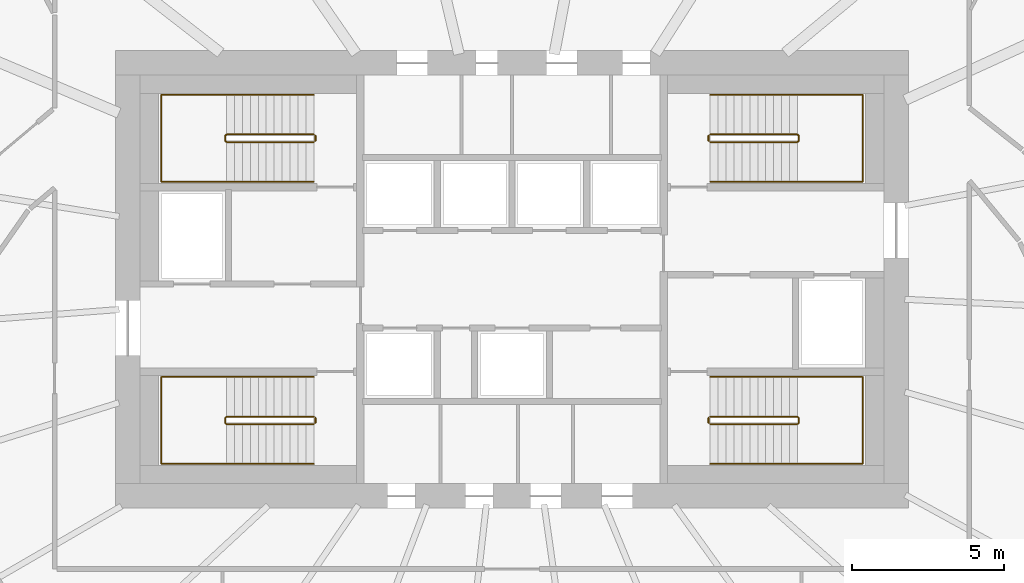
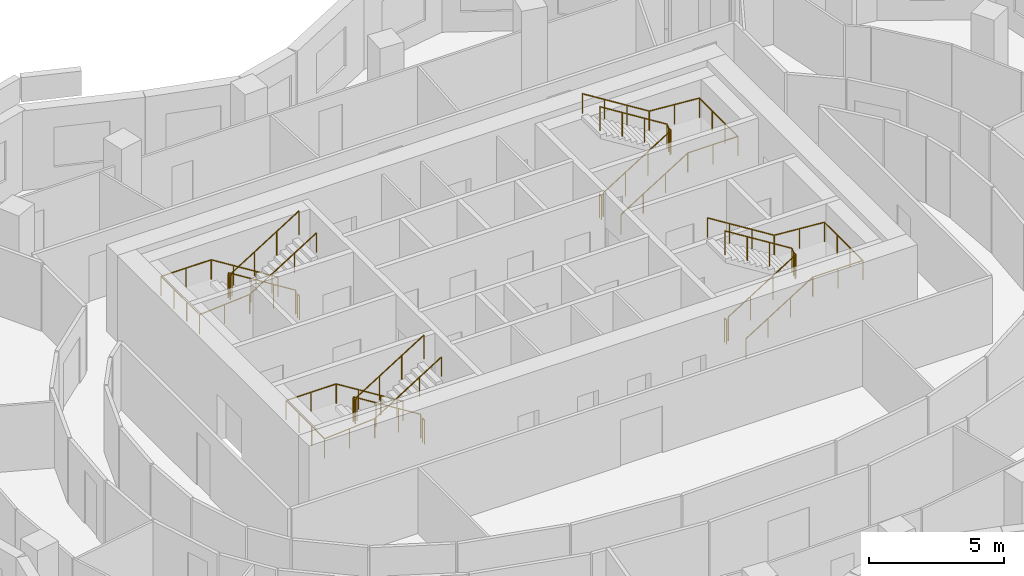
# One storey, part 10 of 10: 12 railings.
"""IFC4 building model written with IfcOpenShell, lengths in metres."""

from ifc_helpers import new_model, si_unit, direction, frame, origin, origin_2d, place, context, subcontext, project, spatial, circle, extrude, material, type_object, element, save


model = new_model("IFC4")

# Units and contexts
model_context = context("Model", 3, precision=1e-05, world=origin(), true_north=direction((0.0, 1.0)))
body_context = subcontext(model_context, "Body", "Model", "MODEL_VIEW")
ifc_project = project(units=[si_unit("LENGTHUNIT", "METRE"), si_unit("AREAUNIT", "SQUARE_METRE"), si_unit("VOLUMEUNIT", "CUBIC_METRE"), si_unit("PLANEANGLEUNIT", "RADIAN"), si_unit("MASSUNIT", "GRAM", prefix="KILO")], contexts=[model_context])

# Site, building, storey
site_placement = place(None, origin())
site = spatial("IfcSite", under=ifc_project, at=site_placement, CompositionType="ELEMENT")
building_placement = place(site_placement, origin())
building = spatial("IfcBuilding", under=site, at=building_placement, Name="Rubra Terraces Tower", CompositionType="ELEMENT")
storey_placement = place(building_placement, frame((0.0, 0.0, 213.0)))
storey = spatial("IfcBuildingStorey", under=building, at=storey_placement, Name="L52", CompositionType="ELEMENT", Elevation=213.0)

# Railings
ifc_material = material(Name="Stainless steel", Category="steel")
railing_type_1 = type_object("IfcRailingType", Name="Core stair guard 1100", PredefinedType="GUARDRAIL", material=ifc_material)
railing_1_placement = place(storey_placement, frame((-6.5, 0.0, 0.16259765625)))
element("IfcRailing", 1, at=railing_1_placement, inside=storey, type_object=railing_type_1, Name="L52 stair S1 guard 1", PredefinedType="GUARDRAIL", context=body_context, shape_type="SweptSolid", body=[
    extrude(circle(Radius=0.02392578125, at=origin_2d()), frame((0.0, 0.0, 1.076171875), z_axis=(-0.848026770018, 0.0, 0.529953391661), x_axis=(0.0, -1.0, 0.0)), (0.0, 0.0, 1.0), 3.37255859375),
    extrude(circle(Radius=0.02392578125, at=origin_2d()), frame((-2.860107421875, 0.0, 2.86328125), z_axis=(-0.705375805398, -0.708833529934, 0.0), x_axis=(0.708833529934, -0.705375805398, 0.0)), (0.0, 0.0, 1.0), 0.070556640625),
    extrude(circle(Radius=0.02392578125, at=origin_2d()), frame((-2.909912109375, -0.050048828125, 2.86328125), z_axis=(0.0, -1.0, 0.0), x_axis=(1.0, 0.0, 0.0)), (0.0, 0.0, 1.0), 0.14990234375),
    extrude(circle(Radius=0.02392578125, at=origin_2d()), frame((-2.909912109375, -0.199951171875, 2.86328125), z_axis=(0.280959487676, -0.282336740067, 0.917250092119), x_axis=(0.708833529934, 0.705375805398, 0.0)), (0.0, 0.0, 1.0), 0.17724609375),
    extrude(circle(Radius=0.02392578125, at=origin_2d()), frame((-2.860107421875, -0.25, 3.02587890625), z_axis=(0.848026770018, 0.0, 0.529953391661), x_axis=(0.0, 1.0, 0.0)), (0.0, 0.0, 1.0), 3.37255859375),
    extrude(circle(Radius=0.02099609375, at=origin_2d()), origin(), (0.0, 0.0, 1.0), 1.052001953125),
    extrude(circle(Radius=0.02099609375, at=origin_2d()), frame((-0.953369140625, 0.0, 0.595703125)), (0.0, 0.0, 1.0), 1.052001953125),
    extrude(circle(Radius=0.02099609375, at=origin_2d()), frame((-1.90673828125, 0.0, 1.191650390625)), (0.0, 0.0, 1.0), 1.052001953125),
    extrude(circle(Radius=0.02099609375, at=origin_2d()), frame((-2.860107421875, 0.0, 1.787353515625)), (0.0, 0.0, 1.0), 1.052001953125),
    extrude(circle(Radius=0.02099609375, at=origin_2d()), frame((-2.909912109375, -0.050048828125, 1.787353515625)), (0.0, 0.0, 1.0), 1.052001953125),
    extrude(circle(Radius=0.02099609375, at=origin_2d()), frame((-2.909912109375, -0.199951171875, 1.787353515625)), (0.0, 0.0, 1.0), 1.052001953125),
    extrude(circle(Radius=0.02099609375, at=origin_2d()), frame((-2.860107421875, -0.25, 1.949951171875)), (0.0, 0.0, 1.0), 1.052001953125),
    extrude(circle(Radius=0.02099609375, at=origin_2d()), frame((-1.90673828125, -0.25, 2.545654296875)), (0.0, 0.0, 1.0), 1.052001953125),
    extrude(circle(Radius=0.02099609375, at=origin_2d()), frame((-0.953369140625, -0.25, 3.1416015625)), (0.0, 0.0, 1.0), 1.052001953125),
    extrude(circle(Radius=0.02099609375, at=origin_2d()), frame((0.0, -0.25, 3.7373046875)), (0.0, 0.0, 1.0), 1.052001953125),
])
railing_2_placement = place(storey_placement, frame((-6.449951171875, -0.050048828125, 0.0)))
element("IfcRailing", 2, at=railing_2_placement, inside=storey, type_object=railing_type_1, Name="L52 stair S1 guard 2", PredefinedType="GUARDRAIL", context=body_context, shape_type="SweptSolid", body=[
    extrude(circle(Radius=0.02392578125, at=origin_2d()), frame((0.0, 0.0, 1.076171875), z_axis=(0.0, -1.0, 0.0), x_axis=(1.0, 0.0, 0.0)), (0.0, 0.0, 1.0), 0.14990234375),
    extrude(circle(Radius=0.02099609375, at=origin_2d()), origin(), (0.0, 0.0, 1.0), 1.052001953125),
    extrude(circle(Radius=0.02099609375, at=origin_2d()), frame((0.0, -0.14990234375, 0.0)), (0.0, 0.0, 1.0), 1.052001953125),
])
railing_3_placement = place(storey_placement, frame((-6.5, 9.25, 0.16259765625)))
element("IfcRailing", 3, at=railing_3_placement, inside=storey, type_object=railing_type_1, Name="L52 stair S2 guard 1", PredefinedType="GUARDRAIL", context=body_context, shape_type="SweptSolid", body=[
    extrude(circle(Radius=0.02392578125, at=origin_2d()), frame((0.0, 0.0, 1.076171875), z_axis=(-0.848026770018, 0.0, 0.529953391661), x_axis=(0.0, -1.0, 0.0)), (0.0, 0.0, 1.0), 3.37255859375),
    extrude(circle(Radius=0.02392578125, at=origin_2d()), frame((-2.860107421875, 0.0, 2.86328125), z_axis=(-0.705375805398, -0.708833529934, 0.0), x_axis=(0.708833529934, -0.705375805398, 0.0)), (0.0, 0.0, 1.0), 0.070556640625),
    extrude(circle(Radius=0.02392578125, at=origin_2d()), frame((-2.909912109375, -0.050048828125, 2.86328125), z_axis=(0.0, -1.0, 0.0), x_axis=(1.0, 0.0, 0.0)), (0.0, 0.0, 1.0), 0.14990234375),
    extrude(circle(Radius=0.02392578125, at=origin_2d()), frame((-2.909912109375, -0.199951171875, 2.86328125), z_axis=(0.280959487676, -0.282336740067, 0.917250092119), x_axis=(0.708833529934, 0.705375805398, 0.0)), (0.0, 0.0, 1.0), 0.17724609375),
    extrude(circle(Radius=0.02392578125, at=origin_2d()), frame((-2.860107421875, -0.25, 3.02587890625), z_axis=(0.848026770018, 0.0, 0.529953391661), x_axis=(0.0, 1.0, 0.0)), (0.0, 0.0, 1.0), 3.37255859375),
    extrude(circle(Radius=0.02099609375, at=origin_2d()), origin(), (0.0, 0.0, 1.0), 1.052001953125),
    extrude(circle(Radius=0.02099609375, at=origin_2d()), frame((-0.953369140625, 0.0, 0.595703125)), (0.0, 0.0, 1.0), 1.052001953125),
    extrude(circle(Radius=0.02099609375, at=origin_2d()), frame((-1.90673828125, 0.0, 1.191650390625)), (0.0, 0.0, 1.0), 1.052001953125),
    extrude(circle(Radius=0.02099609375, at=origin_2d()), frame((-2.860107421875, 0.0, 1.787353515625)), (0.0, 0.0, 1.0), 1.052001953125),
    extrude(circle(Radius=0.02099609375, at=origin_2d()), frame((-2.909912109375, -0.050048828125, 1.787353515625)), (0.0, 0.0, 1.0), 1.052001953125),
    extrude(circle(Radius=0.02099609375, at=origin_2d()), frame((-2.909912109375, -0.199951171875, 1.787353515625)), (0.0, 0.0, 1.0), 1.052001953125),
    extrude(circle(Radius=0.02099609375, at=origin_2d()), frame((-2.860107421875, -0.25, 1.949951171875)), (0.0, 0.0, 1.0), 1.052001953125),
    extrude(circle(Radius=0.02099609375, at=origin_2d()), frame((-1.90673828125, -0.25, 2.545654296875)), (0.0, 0.0, 1.0), 1.052001953125),
    extrude(circle(Radius=0.02099609375, at=origin_2d()), frame((-0.953369140625, -0.25, 3.1416015625)), (0.0, 0.0, 1.0), 1.052001953125),
    extrude(circle(Radius=0.02099609375, at=origin_2d()), frame((0.0, -0.25, 3.7373046875)), (0.0, 0.0, 1.0), 1.052001953125),
])
railing_4_placement = place(storey_placement, frame((-6.449951171875, 9.199951171875, 0.0)))
element("IfcRailing", 4, at=railing_4_placement, inside=storey, type_object=railing_type_1, Name="L52 stair S2 guard 2", PredefinedType="GUARDRAIL", context=body_context, shape_type="SweptSolid", body=[
    extrude(circle(Radius=0.02392578125, at=origin_2d()), frame((0.0, 0.0, 1.076171875), z_axis=(0.0, -1.0, 0.0), x_axis=(1.0, 0.0, 0.0)), (0.0, 0.0, 1.0), 0.14990234375),
    extrude(circle(Radius=0.02099609375, at=origin_2d()), origin(), (0.0, 0.0, 1.0), 1.052001953125),
    extrude(circle(Radius=0.02099609375, at=origin_2d()), frame((0.0, -0.14990234375, 0.0)), (0.0, 0.0, 1.0), 1.052001953125),
])
railing_5_placement = place(storey_placement, frame((6.5, 9.0, 0.16259765625)))
element("IfcRailing", 5, at=railing_5_placement, inside=storey, type_object=railing_type_1, Name="L52 stair S3 guard 1", PredefinedType="GUARDRAIL", context=body_context, shape_type="SweptSolid", body=[
    extrude(circle(Radius=0.02392578125, at=origin_2d()), frame((0.0, 0.0, 1.076171875), z_axis=(0.848026770018, 0.0, 0.529953391661), x_axis=(0.0, 1.0, 0.0)), (0.0, 0.0, 1.0), 3.37255859375),
    extrude(circle(Radius=0.02392578125, at=origin_2d()), frame((2.860107421875, 0.0, 2.86328125), z_axis=(0.705375805398, 0.708833529934, 0.0), x_axis=(-0.708833529934, 0.705375805398, 0.0)), (0.0, 0.0, 1.0), 0.070556640625),
    extrude(circle(Radius=0.02392578125, at=origin_2d()), frame((2.909912109375, 0.050048828125, 2.86328125), z_axis=(0.0, 1.0, 0.0), x_axis=(-1.0, 0.0, 0.0)), (0.0, 0.0, 1.0), 0.14990234375),
    extrude(circle(Radius=0.02392578125, at=origin_2d()), frame((2.909912109375, 0.199951171875, 2.86328125), z_axis=(-0.280959487676, 0.282336740067, 0.917250092119), x_axis=(-0.708833529934, -0.705375805398, 0.0)), (0.0, 0.0, 1.0), 0.17724609375),
    extrude(circle(Radius=0.02392578125, at=origin_2d()), frame((2.860107421875, 0.25, 3.02587890625), z_axis=(-0.848026770018, 0.0, 0.529953391661), x_axis=(0.0, -1.0, 0.0)), (0.0, 0.0, 1.0), 3.37255859375),
    extrude(circle(Radius=0.02099609375, at=origin_2d()), origin(), (0.0, 0.0, 1.0), 1.052001953125),
    extrude(circle(Radius=0.02099609375, at=origin_2d()), frame((0.953369140625, 0.0, 0.595703125)), (0.0, 0.0, 1.0), 1.052001953125),
    extrude(circle(Radius=0.02099609375, at=origin_2d()), frame((1.90673828125, 0.0, 1.191650390625)), (0.0, 0.0, 1.0), 1.052001953125),
    extrude(circle(Radius=0.02099609375, at=origin_2d()), frame((2.860107421875, 0.0, 1.787353515625)), (0.0, 0.0, 1.0), 1.052001953125),
    extrude(circle(Radius=0.02099609375, at=origin_2d()), frame((2.909912109375, 0.050048828125, 1.787353515625)), (0.0, 0.0, 1.0), 1.052001953125),
    extrude(circle(Radius=0.02099609375, at=origin_2d()), frame((2.909912109375, 0.199951171875, 1.787353515625)), (0.0, 0.0, 1.0), 1.052001953125),
    extrude(circle(Radius=0.02099609375, at=origin_2d()), frame((2.860107421875, 0.25, 1.949951171875)), (0.0, 0.0, 1.0), 1.052001953125),
    extrude(circle(Radius=0.02099609375, at=origin_2d()), frame((1.90673828125, 0.25, 2.545654296875)), (0.0, 0.0, 1.0), 1.052001953125),
    extrude(circle(Radius=0.02099609375, at=origin_2d()), frame((0.953369140625, 0.25, 3.1416015625)), (0.0, 0.0, 1.0), 1.052001953125),
    extrude(circle(Radius=0.02099609375, at=origin_2d()), frame((0.0, 0.25, 3.7373046875)), (0.0, 0.0, 1.0), 1.052001953125),
])
railing_6_placement = place(storey_placement, frame((6.449951171875, 9.050048828125, 0.0)))
element("IfcRailing", 6, at=railing_6_placement, inside=storey, type_object=railing_type_1, Name="L52 stair S3 guard 2", PredefinedType="GUARDRAIL", context=body_context, shape_type="SweptSolid", body=[
    extrude(circle(Radius=0.02392578125, at=origin_2d()), frame((0.0, 0.0, 1.076171875), z_axis=(0.0, 1.0, 0.0), x_axis=(-1.0, 0.0, 0.0)), (0.0, 0.0, 1.0), 0.14990234375),
    extrude(circle(Radius=0.02099609375, at=origin_2d()), origin(), (0.0, 0.0, 1.0), 1.052001953125),
    extrude(circle(Radius=0.02099609375, at=origin_2d()), frame((0.0, 0.14990234375, 0.0)), (0.0, 0.0, 1.0), 1.052001953125),
])
railing_7_placement = place(storey_placement, frame((6.5, -0.25, 0.16259765625)))
element("IfcRailing", 7, at=railing_7_placement, inside=storey, type_object=railing_type_1, Name="L52 stair S4 guard 1", PredefinedType="GUARDRAIL", context=body_context, shape_type="SweptSolid", body=[
    extrude(circle(Radius=0.02392578125, at=origin_2d()), frame((0.0, 0.0, 1.076171875), z_axis=(0.848026770018, 0.0, 0.529953391661), x_axis=(0.0, 1.0, 0.0)), (0.0, 0.0, 1.0), 3.37255859375),
    extrude(circle(Radius=0.02392578125, at=origin_2d()), frame((2.860107421875, 0.0, 2.86328125), z_axis=(0.705375805398, 0.708833529934, 0.0), x_axis=(-0.708833529934, 0.705375805398, 0.0)), (0.0, 0.0, 1.0), 0.070556640625),
    extrude(circle(Radius=0.02392578125, at=origin_2d()), frame((2.909912109375, 0.050048828125, 2.86328125), z_axis=(0.0, 1.0, 0.0), x_axis=(-1.0, 0.0, 0.0)), (0.0, 0.0, 1.0), 0.14990234375),
    extrude(circle(Radius=0.02392578125, at=origin_2d()), frame((2.909912109375, 0.199951171875, 2.86328125), z_axis=(-0.280959487676, 0.282336740067, 0.917250092119), x_axis=(-0.708833529934, -0.705375805398, 0.0)), (0.0, 0.0, 1.0), 0.17724609375),
    extrude(circle(Radius=0.02392578125, at=origin_2d()), frame((2.860107421875, 0.25, 3.02587890625), z_axis=(-0.848026770018, 0.0, 0.529953391661), x_axis=(0.0, -1.0, 0.0)), (0.0, 0.0, 1.0), 3.37255859375),
    extrude(circle(Radius=0.02099609375, at=origin_2d()), origin(), (0.0, 0.0, 1.0), 1.052001953125),
    extrude(circle(Radius=0.02099609375, at=origin_2d()), frame((0.953369140625, 0.0, 0.595703125)), (0.0, 0.0, 1.0), 1.052001953125),
    extrude(circle(Radius=0.02099609375, at=origin_2d()), frame((1.90673828125, 0.0, 1.191650390625)), (0.0, 0.0, 1.0), 1.052001953125),
    extrude(circle(Radius=0.02099609375, at=origin_2d()), frame((2.860107421875, 0.0, 1.787353515625)), (0.0, 0.0, 1.0), 1.052001953125),
    extrude(circle(Radius=0.02099609375, at=origin_2d()), frame((2.909912109375, 0.050048828125, 1.787353515625)), (0.0, 0.0, 1.0), 1.052001953125),
    extrude(circle(Radius=0.02099609375, at=origin_2d()), frame((2.909912109375, 0.199951171875, 1.787353515625)), (0.0, 0.0, 1.0), 1.052001953125),
    extrude(circle(Radius=0.02099609375, at=origin_2d()), frame((2.860107421875, 0.25, 1.949951171875)), (0.0, 0.0, 1.0), 1.052001953125),
    extrude(circle(Radius=0.02099609375, at=origin_2d()), frame((1.90673828125, 0.25, 2.545654296875)), (0.0, 0.0, 1.0), 1.052001953125),
    extrude(circle(Radius=0.02099609375, at=origin_2d()), frame((0.953369140625, 0.25, 3.1416015625)), (0.0, 0.0, 1.0), 1.052001953125),
    extrude(circle(Radius=0.02099609375, at=origin_2d()), frame((0.0, 0.25, 3.7373046875)), (0.0, 0.0, 1.0), 1.052001953125),
])
railing_8_placement = place(storey_placement, frame((6.449951171875, -0.199951171875, 0.0)))
element("IfcRailing", 8, at=railing_8_placement, inside=storey, type_object=railing_type_1, Name="L52 stair S4 guard 2", PredefinedType="GUARDRAIL", context=body_context, shape_type="SweptSolid", body=[
    extrude(circle(Radius=0.02392578125, at=origin_2d()), frame((0.0, 0.0, 1.076171875), z_axis=(0.0, 1.0, 0.0), x_axis=(-1.0, 0.0, 0.0)), (0.0, 0.0, 1.0), 0.14990234375),
    extrude(circle(Radius=0.02099609375, at=origin_2d()), origin(), (0.0, 0.0, 1.0), 1.052001953125),
    extrude(circle(Radius=0.02099609375, at=origin_2d()), frame((0.0, 0.14990234375, 0.0)), (0.0, 0.0, 1.0), 1.052001953125),
])
railing_type_2 = type_object("IfcRailingType", Name="Core stair handrail 900", PredefinedType="HANDRAIL", material=ifc_material)
railing_9_placement = place(storey_placement, frame((-6.5, 1.300048828125, 0.16259765625)))
element("IfcRailing", 9, at=railing_9_placement, inside=storey, type_object=railing_type_2, Name="L52 stair S1 handrail 1", PredefinedType="HANDRAIL", context=body_context, shape_type="SweptSolid", body=[
    extrude(circle(Radius=0.02392578125, at=origin_2d()), frame((0.0, 0.0, 0.8759765625), z_axis=(-0.848026770018, 0.0, 0.529953391661), x_axis=(0.0, -1.0, 0.0)), (0.0, 0.0, 1.0), 3.37255859375),
    extrude(circle(Radius=0.02392578125, at=origin_2d()), frame((-2.860107421875, 0.0, 2.6630859375), z_axis=(-1.0, 0.0, 0.0), x_axis=(0.0, -1.0, 0.0)), (0.0, 0.0, 1.0), 2.139892578125),
    extrude(circle(Radius=0.02392578125, at=origin_2d()), frame((-5.0, 0.0, 2.6630859375), z_axis=(0.0, -1.0, 0.0), x_axis=(1.0, 0.0, 0.0)), (0.0, 0.0, 1.0), 2.85009765625),
    extrude(circle(Radius=0.02392578125, at=origin_2d()), frame((-5.0, -2.85009765625, 2.6630859375), z_axis=(0.997125654253, 0.0, 0.075765623016), x_axis=(0.0, 1.0, 0.0)), (0.0, 0.0, 1.0), 2.14599609375),
    extrude(circle(Radius=0.02392578125, at=origin_2d()), frame((-2.860107421875, -2.85009765625, 2.82568359375), z_axis=(0.848026770018, 0.0, 0.529953391661), x_axis=(0.0, 1.0, 0.0)), (0.0, 0.0, 1.0), 3.37255859375),
    extrude(circle(Radius=0.02099609375, at=origin_2d()), origin(), (0.0, 0.0, 1.0), 0.851806640625),
    extrude(circle(Radius=0.02099609375, at=origin_2d()), frame((-0.953369140625, 0.0, 0.595703125)), (0.0, 0.0, 1.0), 0.851806640625),
    extrude(circle(Radius=0.02099609375, at=origin_2d()), frame((-1.90673828125, 0.0, 1.191650390625)), (0.0, 0.0, 1.0), 0.851806640625),
    extrude(circle(Radius=0.02099609375, at=origin_2d()), frame((-2.860107421875, 0.0, 1.787353515625)), (0.0, 0.0, 1.0), 0.851806640625),
    extrude(circle(Radius=0.02099609375, at=origin_2d()), frame((-3.93017578125, 0.0, 1.787353515625)), (0.0, 0.0, 1.0), 0.851806640625),
    extrude(circle(Radius=0.02099609375, at=origin_2d()), frame((-5.0, 0.0, 1.787353515625)), (0.0, 0.0, 1.0), 0.851806640625),
    extrude(circle(Radius=0.02099609375, at=origin_2d()), frame((-5.0, -0.949951171875, 1.787353515625)), (0.0, 0.0, 1.0), 0.851806640625),
    extrude(circle(Radius=0.02099609375, at=origin_2d()), frame((-5.0, -1.900146484375, 1.787353515625)), (0.0, 0.0, 1.0), 0.851806640625),
    extrude(circle(Radius=0.02099609375, at=origin_2d()), frame((-5.0, -2.85009765625, 1.787353515625)), (0.0, 0.0, 1.0), 0.851806640625),
    extrude(circle(Radius=0.02099609375, at=origin_2d()), frame((-3.93017578125, -2.85009765625, 1.86865234375)), (0.0, 0.0, 1.0), 0.851806640625),
    extrude(circle(Radius=0.02099609375, at=origin_2d()), frame((-2.860107421875, -2.85009765625, 1.949951171875)), (0.0, 0.0, 1.0), 0.851806640625),
    extrude(circle(Radius=0.02099609375, at=origin_2d()), frame((-1.90673828125, -2.85009765625, 2.545654296875)), (0.0, 0.0, 1.0), 0.851806640625),
    extrude(circle(Radius=0.02099609375, at=origin_2d()), frame((-0.953369140625, -2.85009765625, 3.1416015625)), (0.0, 0.0, 1.0), 0.851806640625),
    extrude(circle(Radius=0.02099609375, at=origin_2d()), frame((0.0, -2.85009765625, 3.7373046875)), (0.0, 0.0, 1.0), 0.851806640625),
])
railing_10_placement = place(storey_placement, frame((-6.5, 10.550048828125, 0.16259765625)))
element("IfcRailing", 10, at=railing_10_placement, inside=storey, type_object=railing_type_2, Name="L52 stair S2 handrail 1", PredefinedType="HANDRAIL", context=body_context, shape_type="SweptSolid", body=[
    extrude(circle(Radius=0.02392578125, at=origin_2d()), frame((0.0, 0.0, 0.8759765625), z_axis=(-0.848026770018, 0.0, 0.529953391661), x_axis=(0.0, -1.0, 0.0)), (0.0, 0.0, 1.0), 3.37255859375),
    extrude(circle(Radius=0.02392578125, at=origin_2d()), frame((-2.860107421875, 0.0, 2.6630859375), z_axis=(-1.0, 0.0, 0.0), x_axis=(0.0, -1.0, 0.0)), (0.0, 0.0, 1.0), 2.139892578125),
    extrude(circle(Radius=0.02392578125, at=origin_2d()), frame((-5.0, 0.0, 2.6630859375), z_axis=(0.0, -1.0, 0.0), x_axis=(1.0, 0.0, 0.0)), (0.0, 0.0, 1.0), 2.85009765625),
    extrude(circle(Radius=0.02392578125, at=origin_2d()), frame((-5.0, -2.85009765625, 2.6630859375), z_axis=(0.997125654253, 0.0, 0.075765623016), x_axis=(0.0, 1.0, 0.0)), (0.0, 0.0, 1.0), 2.14599609375),
    extrude(circle(Radius=0.02392578125, at=origin_2d()), frame((-2.860107421875, -2.85009765625, 2.82568359375), z_axis=(0.848026770018, 0.0, 0.529953391661), x_axis=(0.0, 1.0, 0.0)), (0.0, 0.0, 1.0), 3.37255859375),
    extrude(circle(Radius=0.02099609375, at=origin_2d()), origin(), (0.0, 0.0, 1.0), 0.851806640625),
    extrude(circle(Radius=0.02099609375, at=origin_2d()), frame((-0.953369140625, 0.0, 0.595703125)), (0.0, 0.0, 1.0), 0.851806640625),
    extrude(circle(Radius=0.02099609375, at=origin_2d()), frame((-1.90673828125, 0.0, 1.191650390625)), (0.0, 0.0, 1.0), 0.851806640625),
    extrude(circle(Radius=0.02099609375, at=origin_2d()), frame((-2.860107421875, 0.0, 1.787353515625)), (0.0, 0.0, 1.0), 0.851806640625),
    extrude(circle(Radius=0.02099609375, at=origin_2d()), frame((-3.93017578125, 0.0, 1.787353515625)), (0.0, 0.0, 1.0), 0.851806640625),
    extrude(circle(Radius=0.02099609375, at=origin_2d()), frame((-5.0, 0.0, 1.787353515625)), (0.0, 0.0, 1.0), 0.851806640625),
    extrude(circle(Radius=0.02099609375, at=origin_2d()), frame((-5.0, -0.949951171875, 1.787353515625)), (0.0, 0.0, 1.0), 0.851806640625),
    extrude(circle(Radius=0.02099609375, at=origin_2d()), frame((-5.0, -1.900146484375, 1.787353515625)), (0.0, 0.0, 1.0), 0.851806640625),
    extrude(circle(Radius=0.02099609375, at=origin_2d()), frame((-5.0, -2.85009765625, 1.787353515625)), (0.0, 0.0, 1.0), 0.851806640625),
    extrude(circle(Radius=0.02099609375, at=origin_2d()), frame((-3.93017578125, -2.85009765625, 1.86865234375)), (0.0, 0.0, 1.0), 0.851806640625),
    extrude(circle(Radius=0.02099609375, at=origin_2d()), frame((-2.860107421875, -2.85009765625, 1.949951171875)), (0.0, 0.0, 1.0), 0.851806640625),
    extrude(circle(Radius=0.02099609375, at=origin_2d()), frame((-1.90673828125, -2.85009765625, 2.545654296875)), (0.0, 0.0, 1.0), 0.851806640625),
    extrude(circle(Radius=0.02099609375, at=origin_2d()), frame((-0.953369140625, -2.85009765625, 3.1416015625)), (0.0, 0.0, 1.0), 0.851806640625),
    extrude(circle(Radius=0.02099609375, at=origin_2d()), frame((0.0, -2.85009765625, 3.7373046875)), (0.0, 0.0, 1.0), 0.851806640625),
])
railing_11_placement = place(storey_placement, frame((6.5, 7.699951171875, 0.16259765625)))
element("IfcRailing", 11, at=railing_11_placement, inside=storey, type_object=railing_type_2, Name="L52 stair S3 handrail 1", PredefinedType="HANDRAIL", context=body_context, shape_type="SweptSolid", body=[
    extrude(circle(Radius=0.02392578125, at=origin_2d()), frame((0.0, 0.0, 0.8759765625), z_axis=(0.848026770018, 0.0, 0.529953391661), x_axis=(0.0, 1.0, 0.0)), (0.0, 0.0, 1.0), 3.37255859375),
    extrude(circle(Radius=0.02392578125, at=origin_2d()), frame((2.860107421875, 0.0, 2.6630859375), z_axis=(1.0, 0.0, 0.0), x_axis=(0.0, 1.0, 0.0)), (0.0, 0.0, 1.0), 2.139892578125),
    extrude(circle(Radius=0.02392578125, at=origin_2d()), frame((5.0, 0.0, 2.6630859375), z_axis=(0.0, 1.0, 0.0), x_axis=(-1.0, 0.0, 0.0)), (0.0, 0.0, 1.0), 2.85009765625),
    extrude(circle(Radius=0.02392578125, at=origin_2d()), frame((5.0, 2.85009765625, 2.6630859375), z_axis=(-0.997125654253, 0.0, 0.075765623016), x_axis=(0.0, -1.0, 0.0)), (0.0, 0.0, 1.0), 2.14599609375),
    extrude(circle(Radius=0.02392578125, at=origin_2d()), frame((2.860107421875, 2.85009765625, 2.82568359375), z_axis=(-0.848026770018, 0.0, 0.529953391661), x_axis=(0.0, -1.0, 0.0)), (0.0, 0.0, 1.0), 3.37255859375),
    extrude(circle(Radius=0.02099609375, at=origin_2d()), origin(), (0.0, 0.0, 1.0), 0.851806640625),
    extrude(circle(Radius=0.02099609375, at=origin_2d()), frame((0.953369140625, 0.0, 0.595703125)), (0.0, 0.0, 1.0), 0.851806640625),
    extrude(circle(Radius=0.02099609375, at=origin_2d()), frame((1.90673828125, 0.0, 1.191650390625)), (0.0, 0.0, 1.0), 0.851806640625),
    extrude(circle(Radius=0.02099609375, at=origin_2d()), frame((2.860107421875, 0.0, 1.787353515625)), (0.0, 0.0, 1.0), 0.851806640625),
    extrude(circle(Radius=0.02099609375, at=origin_2d()), frame((3.93017578125, 0.0, 1.787353515625)), (0.0, 0.0, 1.0), 0.851806640625),
    extrude(circle(Radius=0.02099609375, at=origin_2d()), frame((5.0, 0.0, 1.787353515625)), (0.0, 0.0, 1.0), 0.851806640625),
    extrude(circle(Radius=0.02099609375, at=origin_2d()), frame((5.0, 0.949951171875, 1.787353515625)), (0.0, 0.0, 1.0), 0.851806640625),
    extrude(circle(Radius=0.02099609375, at=origin_2d()), frame((5.0, 1.900146484375, 1.787353515625)), (0.0, 0.0, 1.0), 0.851806640625),
    extrude(circle(Radius=0.02099609375, at=origin_2d()), frame((5.0, 2.85009765625, 1.787353515625)), (0.0, 0.0, 1.0), 0.851806640625),
    extrude(circle(Radius=0.02099609375, at=origin_2d()), frame((3.93017578125, 2.85009765625, 1.86865234375)), (0.0, 0.0, 1.0), 0.851806640625),
    extrude(circle(Radius=0.02099609375, at=origin_2d()), frame((2.860107421875, 2.85009765625, 1.949951171875)), (0.0, 0.0, 1.0), 0.851806640625),
    extrude(circle(Radius=0.02099609375, at=origin_2d()), frame((1.90673828125, 2.85009765625, 2.545654296875)), (0.0, 0.0, 1.0), 0.851806640625),
    extrude(circle(Radius=0.02099609375, at=origin_2d()), frame((0.953369140625, 2.85009765625, 3.1416015625)), (0.0, 0.0, 1.0), 0.851806640625),
    extrude(circle(Radius=0.02099609375, at=origin_2d()), frame((0.0, 2.85009765625, 3.7373046875)), (0.0, 0.0, 1.0), 0.851806640625),
])
railing_12_placement = place(storey_placement, frame((6.5, -1.550048828125, 0.16259765625)))
element("IfcRailing", 12, at=railing_12_placement, inside=storey, type_object=railing_type_2, Name="L52 stair S4 handrail 1", PredefinedType="HANDRAIL", context=body_context, shape_type="SweptSolid", body=[
    extrude(circle(Radius=0.02392578125, at=origin_2d()), frame((0.0, 0.0, 0.8759765625), z_axis=(0.848026770018, 0.0, 0.529953391661), x_axis=(0.0, 1.0, 0.0)), (0.0, 0.0, 1.0), 3.37255859375),
    extrude(circle(Radius=0.02392578125, at=origin_2d()), frame((2.860107421875, 0.0, 2.6630859375), z_axis=(1.0, 0.0, 0.0), x_axis=(0.0, 1.0, 0.0)), (0.0, 0.0, 1.0), 2.139892578125),
    extrude(circle(Radius=0.02392578125, at=origin_2d()), frame((5.0, 0.0, 2.6630859375), z_axis=(0.0, 1.0, 0.0), x_axis=(-1.0, 0.0, 0.0)), (0.0, 0.0, 1.0), 2.85009765625),
    extrude(circle(Radius=0.02392578125, at=origin_2d()), frame((5.0, 2.85009765625, 2.6630859375), z_axis=(-0.997125654253, 0.0, 0.075765623016), x_axis=(0.0, -1.0, 0.0)), (0.0, 0.0, 1.0), 2.14599609375),
    extrude(circle(Radius=0.02392578125, at=origin_2d()), frame((2.860107421875, 2.85009765625, 2.82568359375), z_axis=(-0.848026770018, 0.0, 0.529953391661), x_axis=(0.0, -1.0, 0.0)), (0.0, 0.0, 1.0), 3.37255859375),
    extrude(circle(Radius=0.02099609375, at=origin_2d()), origin(), (0.0, 0.0, 1.0), 0.851806640625),
    extrude(circle(Radius=0.02099609375, at=origin_2d()), frame((0.953369140625, 0.0, 0.595703125)), (0.0, 0.0, 1.0), 0.851806640625),
    extrude(circle(Radius=0.02099609375, at=origin_2d()), frame((1.90673828125, 0.0, 1.191650390625)), (0.0, 0.0, 1.0), 0.851806640625),
    extrude(circle(Radius=0.02099609375, at=origin_2d()), frame((2.860107421875, 0.0, 1.787353515625)), (0.0, 0.0, 1.0), 0.851806640625),
    extrude(circle(Radius=0.02099609375, at=origin_2d()), frame((3.93017578125, 0.0, 1.787353515625)), (0.0, 0.0, 1.0), 0.851806640625),
    extrude(circle(Radius=0.02099609375, at=origin_2d()), frame((5.0, 0.0, 1.787353515625)), (0.0, 0.0, 1.0), 0.851806640625),
    extrude(circle(Radius=0.02099609375, at=origin_2d()), frame((5.0, 0.949951171875, 1.787353515625)), (0.0, 0.0, 1.0), 0.851806640625),
    extrude(circle(Radius=0.02099609375, at=origin_2d()), frame((5.0, 1.900146484375, 1.787353515625)), (0.0, 0.0, 1.0), 0.851806640625),
    extrude(circle(Radius=0.02099609375, at=origin_2d()), frame((5.0, 2.85009765625, 1.787353515625)), (0.0, 0.0, 1.0), 0.851806640625),
    extrude(circle(Radius=0.02099609375, at=origin_2d()), frame((3.93017578125, 2.85009765625, 1.86865234375)), (0.0, 0.0, 1.0), 0.851806640625),
    extrude(circle(Radius=0.02099609375, at=origin_2d()), frame((2.860107421875, 2.85009765625, 1.949951171875)), (0.0, 0.0, 1.0), 0.851806640625),
    extrude(circle(Radius=0.02099609375, at=origin_2d()), frame((1.90673828125, 2.85009765625, 2.545654296875)), (0.0, 0.0, 1.0), 0.851806640625),
    extrude(circle(Radius=0.02099609375, at=origin_2d()), frame((0.953369140625, 2.85009765625, 3.1416015625)), (0.0, 0.0, 1.0), 0.851806640625),
    extrude(circle(Radius=0.02099609375, at=origin_2d()), frame((0.0, 2.85009765625, 3.7373046875)), (0.0, 0.0, 1.0), 0.851806640625),
])

save(model, "model.ifc")
